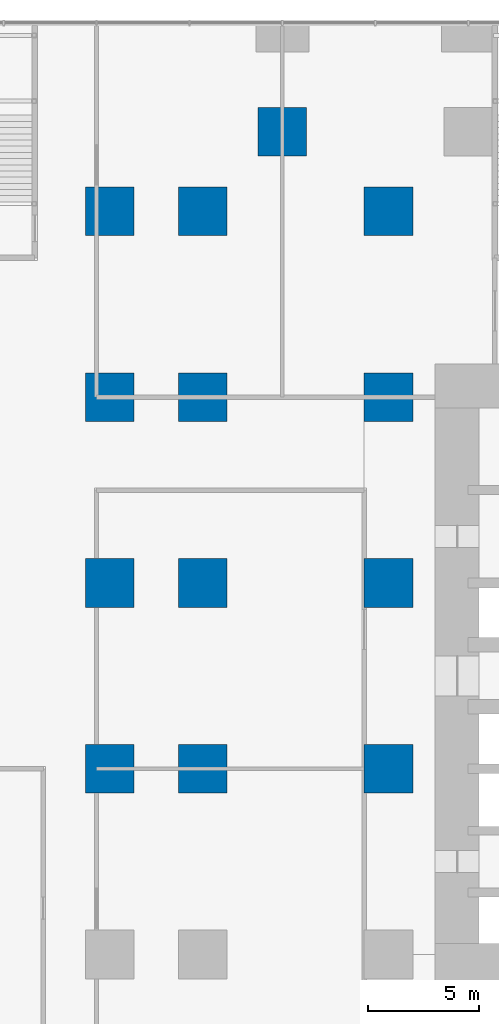
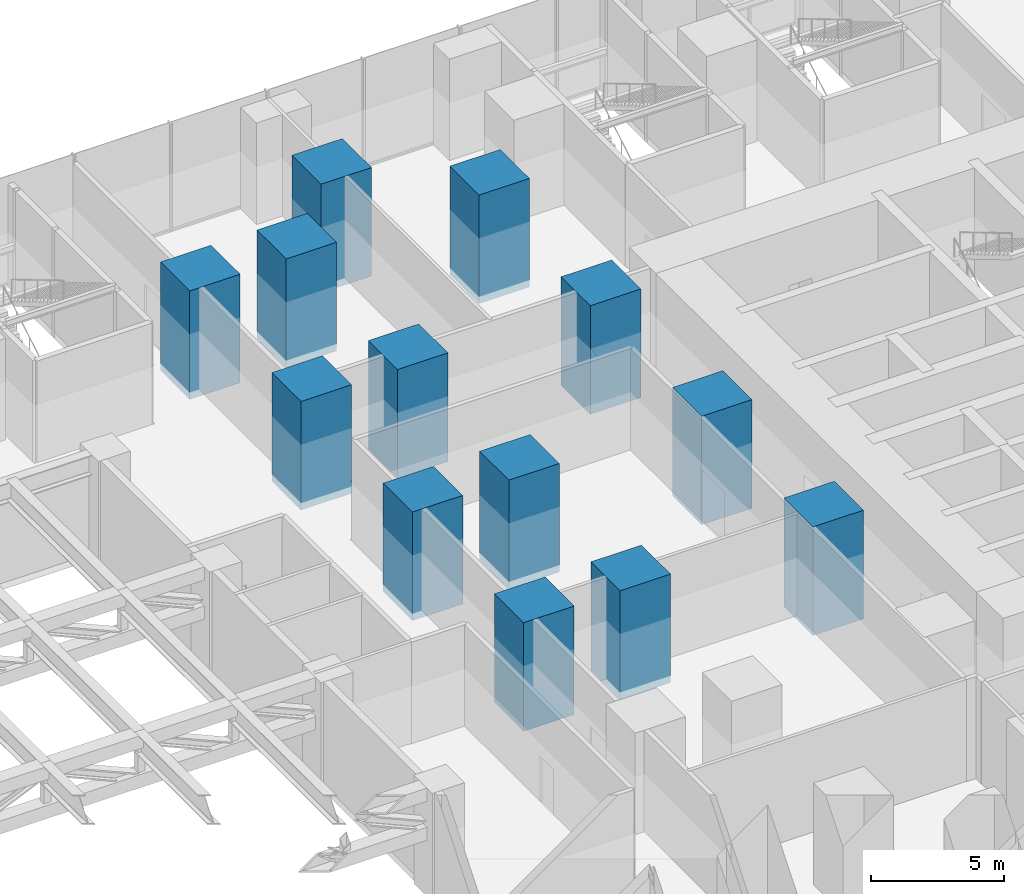
# One storey, part 7 of 33: 13 columns.
"""IFC4 building model written with IfcOpenShell, lengths in metres."""

import ifcopenshell
import ifcopenshell.guid

model = None  # the IFC model being written
_history = None  # IfcOwnerHistory: only IFC2X3 demands one
_inside = {}  # id of a spatial element -> (the spatial element, [elements in it])
_under = {}  # id of a project, library or spatial element -> (it, [spatial elements below it])
_declared = {}  # id of a project -> (the project, [libraries it declares])
_typed = {}  # id of a type object -> (the type object, [elements of that type])
_made_of = {}  # id of a material, layer set ... -> (it, [elements and type objects made of it])


def new_model(schema):
    """Start an empty IFC model of exactly this schema.

    Asked for "IFC4X3", IfcOpenShell would pick the latest addendum, in which some entities
    have other attributes; the version numbers below select the first issue.
    IFC2X3 requires an IfcOwnerHistory on every rooted entity: one is made here for all.
    """
    global model, _history
    if schema == "IFC4X3":
        model = ifcopenshell.file(schema_version=(4, 3, 0, 0))
    else:
        model = ifcopenshell.file(schema=schema)
    _inside.clear()
    _under.clear()
    _declared.clear()
    _typed.clear()
    _made_of.clear()
    _history = None
    if model.schema == "IFC2X3":
        org = make("IfcOrganization", Name="unknown")
        user = make(
            "IfcPersonAndOrganization",
            ThePerson=make("IfcPerson", FamilyName="unknown"),
            TheOrganization=org,
        )
        app = make(
            "IfcApplication",
            ApplicationDeveloper=org,
            Version="unknown",
            ApplicationFullName="unknown",
            ApplicationIdentifier="unknown",
        )
        _history = make(
            "IfcOwnerHistory",
            OwningUser=user,
            OwningApplication=app,
            ChangeAction="ADDED",
            CreationDate=0,
        )
    return model


def make(cls, **values):
    """One entity of the class cls with the attributes given. An attribute that is None is left unset."""
    return model.create_entity(
        cls, **{name: value for name, value in values.items() if value is not None}
    )


def rooted(cls, **values):
    """An entity with a GlobalId (a new one), such as an element, a storey or a relation."""
    return make(cls, GlobalId=ifcopenshell.guid.new(), OwnerHistory=_history, **values)


def si_unit(unit_type, name, prefix=None):
    """IfcSIUnit, for example si_unit("LENGTHUNIT", "METRE", prefix="MILLI")."""
    return make("IfcSIUnit", UnitType=unit_type, Prefix=prefix, Name=name)


def assignment(units):
    """IfcUnitAssignment: the units of a project."""
    return None if units is None else make("IfcUnitAssignment", Units=units)


def point(xyz):
    """IfcCartesianPoint."""
    return None if xyz is None else make("IfcCartesianPoint", Coordinates=xyz)


def direction(xyz):
    """IfcDirection."""
    return None if xyz is None else make("IfcDirection", DirectionRatios=xyz)


def frame(location, z_axis=None, x_axis=None):
    """IfcAxis2Placement3D, a coordinate frame: its origin and axes. An axis left out is left unset."""
    return make(
        "IfcAxis2Placement3D",
        Location=point(location),
        Axis=direction(z_axis),
        RefDirection=direction(x_axis),
    )


def frame_2d(location, x_axis=None):
    """IfcAxis2Placement2D, a coordinate frame in the plane: its origin and x axis."""
    return make(
        "IfcAxis2Placement2D", Location=point(location), RefDirection=direction(x_axis)
    )


def origin():
    """The frame at (0, 0, 0) with its axes left unset."""
    return frame((0.0, 0.0, 0.0))


def origin_2d():
    """The frame at (0, 0) in the plane with its x axis left unset."""
    return frame_2d((0.0, 0.0))


def place(relative_to, where):
    """IfcLocalPlacement: puts the frame where relative to a parent placement (None: the world)."""
    return make(
        "IfcLocalPlacement", PlacementRelTo=relative_to, RelativePlacement=where
    )


def context(
    kind, dimensions, precision=None, world=None, true_north=None, identifier=None
):
    """IfcGeometricRepresentationContext, for example the 3D "Model" context."""
    return make(
        "IfcGeometricRepresentationContext",
        ContextIdentifier=identifier,
        ContextType=kind,
        CoordinateSpaceDimension=dimensions,
        Precision=precision,
        WorldCoordinateSystem=world,
        TrueNorth=true_north,
    )


def subcontext(parent, identifier, kind, view, scale=None):
    """IfcGeometricRepresentationSubContext, for example "Body" below "Model"."""
    return make(
        "IfcGeometricRepresentationSubContext",
        ContextIdentifier=identifier,
        ContextType=kind,
        ParentContext=parent,
        TargetScale=scale,
        TargetView=view,
    )


def project(units=None, contexts=None):
    """IfcProject with its units and contexts."""
    return rooted(
        "IfcProject",
        Name="project",
        RepresentationContexts=contexts,
        UnitsInContext=assignment(units),
    )


def spatial(cls, under=None, at=None, **own):
    """A site, building, storey or space (cls), placed at a placement, below another one or the project."""
    s = rooted(cls, ObjectPlacement=at, **own)
    if under is not None:
        _under.setdefault(under.id(), (under, []))[1].append(s)
    return s


def profile(cls, at=None, kind="AREA", **sizes):
    """A parametric profile (cls). Its sizes go by their IFC names, for example OverallWidth=200.0."""
    return make(cls, ProfileType=kind, Position=at, **sizes)


def rectangle(**sizes):
    """IfcRectangleProfileDef."""
    return profile("IfcRectangleProfileDef", **sizes)


def extrude(swept, where, along, depth):
    """IfcExtrudedAreaSolid: the profile swept, set in the frame where, extruded along a direction by depth."""
    return make(
        "IfcExtrudedAreaSolid",
        SweptArea=swept,
        Position=where,
        ExtrudedDirection=direction(along),
        Depth=depth,
    )


def shape(context_of_items, identifier, shape_type, items):
    """IfcShapeRepresentation: the items that make up one representation, for example the "Body"."""
    return make(
        "IfcShapeRepresentation",
        ContextOfItems=context_of_items,
        RepresentationIdentifier=identifier,
        RepresentationType=shape_type,
        Items=items,
    )


def material(Name=None, Category=None):
    """IfcMaterial."""
    return make("IfcMaterial", Name=Name, Category=Category)


def material_profile(
    of_material, cross_section, Name=None, Category=None, Priority=None
):
    """IfcMaterialProfile: a cross section and its material."""
    return make(
        "IfcMaterialProfile",
        Name=Name,
        Material=of_material,
        Profile=cross_section,
        Priority=Priority,
        Category=Category,
    )


def profile_set(profiles, Name=None, composite=None):
    """IfcMaterialProfileSet."""
    return make(
        "IfcMaterialProfileSet",
        Name=Name,
        MaterialProfiles=profiles,
        CompositeProfile=composite,
    )


def made_of(thing, what):
    """Note that an element or type object is made of a material, layer set ...; save() writes the relation."""
    if what is not None:
        _made_of.setdefault(what.id(), (what, []))[1].append(thing)
    return thing


def type_object(cls, material=None, **own):
    """A type object (cls), such as IfcWallType, which elements share."""
    return made_of(rooted(cls, **own), material)


def element(
    cls,
    number,
    at=None,
    inside=None,
    cuts=None,
    type_object=None,
    material=None,
    context=None,
    identifier="Body",
    shape_type=None,
    held_by="IfcProductDefinitionShape",
    body=None,
    shapes=None,
    **own,
):
    """One element of the class cls, such as IfcWall. Its Tag is "e" and its number.

    at: its placement. inside: the storey or other place that contains it. cuts: it is an
    opening in that element (IfcRelVoidsElement). A single representation is given by context,
    identifier, shape_type and body (its items); several are given by shapes. held_by: the class
    of the entity that holds the representations. save() writes the other relations.
    """
    e = rooted(cls, Tag="e%d" % number, ObjectPlacement=at, **own)
    if body is not None:
        shapes = [shape(context, identifier, shape_type, body)]
    if shapes is not None:
        e.Representation = make(held_by, Representations=shapes)
    if inside is not None:
        _inside.setdefault(inside.id(), (inside, []))[1].append(e)
    if cuts is not None:
        rooted(
            "IfcRelVoidsElement", RelatingBuildingElement=cuts, RelatedOpeningElement=e
        )
    if type_object is not None:
        _typed.setdefault(type_object.id(), (type_object, []))[1].append(e)
    return made_of(e, material)


def aggregate(whole, parts):
    """IfcRelAggregates: a whole, such as a stair, and the parts it consists of."""
    return rooted("IfcRelAggregates", RelatingObject=whole, RelatedObjects=parts)


def save(model, path):
    """Write the relations noted so far, then the file.

    IfcRelAggregates (storeys below a building ...), IfcRelContainedInSpatialStructure (elements
    in a storey), IfcRelDefinesByType, IfcRelAssociatesMaterial and IfcRelDeclares: one each for
    every whole, place, type object, material and project.
    """
    for whole, parts in _under.values():
        aggregate(whole, parts)
    for where, things in _inside.values():
        rooted(
            "IfcRelContainedInSpatialStructure",
            RelatedElements=things,
            RelatingStructure=where,
        )
    for kind, things in _typed.values():
        rooted("IfcRelDefinesByType", RelatedObjects=things, RelatingType=kind)
    for what, things in _made_of.values():
        rooted("IfcRelAssociatesMaterial", RelatedObjects=things, RelatingMaterial=what)
    for by, libraries in _declared.values():
        rooted("IfcRelDeclares", RelatingContext=by, RelatedDefinitions=libraries)
    model.write(path)


model = new_model("IFC4")

# Units and contexts
model_context = context("Model", 3, precision=1e-05, world=origin(), true_north=direction((0.0, 1.0)))
body_context = subcontext(model_context, "Body", "Model", "MODEL_VIEW")
ifc_project = project(units=[si_unit("LENGTHUNIT", "METRE"), si_unit("AREAUNIT", "SQUARE_METRE"), si_unit("VOLUMEUNIT", "CUBIC_METRE"), si_unit("PLANEANGLEUNIT", "RADIAN"), si_unit("MASSUNIT", "GRAM", prefix="KILO")], contexts=[model_context])

# Site, building, storey
site_placement = place(None, origin())
site = spatial("IfcSite", under=ifc_project, at=site_placement, CompositionType="ELEMENT")
building_placement = place(site_placement, origin())
building = spatial("IfcBuilding", under=site, at=building_placement, Name="Dunama Terrace Hotel", CompositionType="ELEMENT")
storey_placement = place(building_placement, frame((0.0, 0.0, 12.0)))
storey = spatial("IfcBuildingStorey", under=building, at=storey_placement, Name="L02", CompositionType="ELEMENT", Elevation=12.0)

# Columns
ifc_material = material(Name="Concrete C60/75", Category="concrete")
ifc_material_profile = material_profile(ifc_material, rectangle(XDim=2.199951171875, YDim=2.199951171875, at=origin_2d()), Name="RC 2200x2200")
ifc_profile_set = profile_set([ifc_material_profile], Name="Concrete C60/75")
column_type = type_object("IfcColumnType", Name="Column RC 2200x2200", PredefinedType="COLUMN", material=ifc_profile_set)
for number, where, z_axis, x_axis, name in (
    (1, (0.60009765625, 25.199951171875, -0.300048828125), (0.0, 0.0, 1.0), (1.0, 0.0, 0.0), "Column L02 +0.6/+25.2"),
    (2, (0.60009765625, 33.60009765625, -0.300048828125), (0.0, 0.0, 1.0), (1.0, 0.0, 0.0), "Column L02 +0.6/+33.6"),
    (3, (0.60009765625, 42.0, -0.300048828125), (0.0, 0.0, 1.0), (1.0, 0.0, 0.0), "Column L02 +0.6/+42.0"),
    (4, (0.60009765625, 50.39990234375, -0.300048828125), (0.0, 0.0, 1.0), (1.0, 0.0, 0.0), "Column L02 +0.6/+50.4"),
    (5, (4.800048828125, 25.199951171875, -0.300048828125), (0.0, 0.0, 1.0), (1.0, 0.0, 0.0), "Column L02 +4.8/+25.2"),
    (6, (4.800048828125, 33.60009765625, -0.300048828125), (0.0, 0.0, 1.0), (1.0, 0.0, 0.0), "Column L02 +4.8/+33.6"),
    (7, (4.800048828125, 42.0, -0.300048828125), (0.0, 0.0, 1.0), (1.0, 0.0, 0.0), "Column L02 +4.8/+42.0"),
    (8, (4.800048828125, 50.39990234375, -0.300048828125), (0.0, 0.0, 1.0), (1.0, 0.0, 0.0), "Column L02 +4.8/+50.4"),
    (9, (8.39990234375, 54.0, -0.300048828125), (0.0, 0.0, 1.0), (1.0, 0.0, 0.0), "Column L02 +8.4/+54.0"),
    (10, (13.199951171875, 25.199951171875, -0.300048828125), (0.0, 0.0, 1.0), (1.0, 0.0, 0.0), "Column L02 +13.2/+25.2"),
    (11, (13.199951171875, 33.60009765625, -0.300048828125), (0.0, 0.0, 1.0), (1.0, 0.0, 0.0), "Column L02 +13.2/+33.6"),
    (12, (13.199951171875, 42.0, -0.300048828125), (0.0, 0.0, 1.0), (1.0, 0.0, 0.0), "Column L02 +13.2/+42.0"),
    (13, (13.199951171875, 50.39990234375, -0.300048828125), (0.0, 0.0, 1.0), (1.0, 0.0, 0.0), "Column L02 +13.2/+50.4"),
):
    element("IfcColumn", number, at=place(storey_placement, frame(where, z_axis=z_axis, x_axis=x_axis)), inside=storey, type_object=column_type, Name=name, PredefinedType="COLUMN", context=body_context, shape_type="SweptSolid", body=[
        extrude(rectangle(XDim=2.199951171875, YDim=2.199951171875, at=origin_2d()), origin(), (0.0, 0.0, 1.0), 5.0),
    ])

save(model, "model.ifc")
